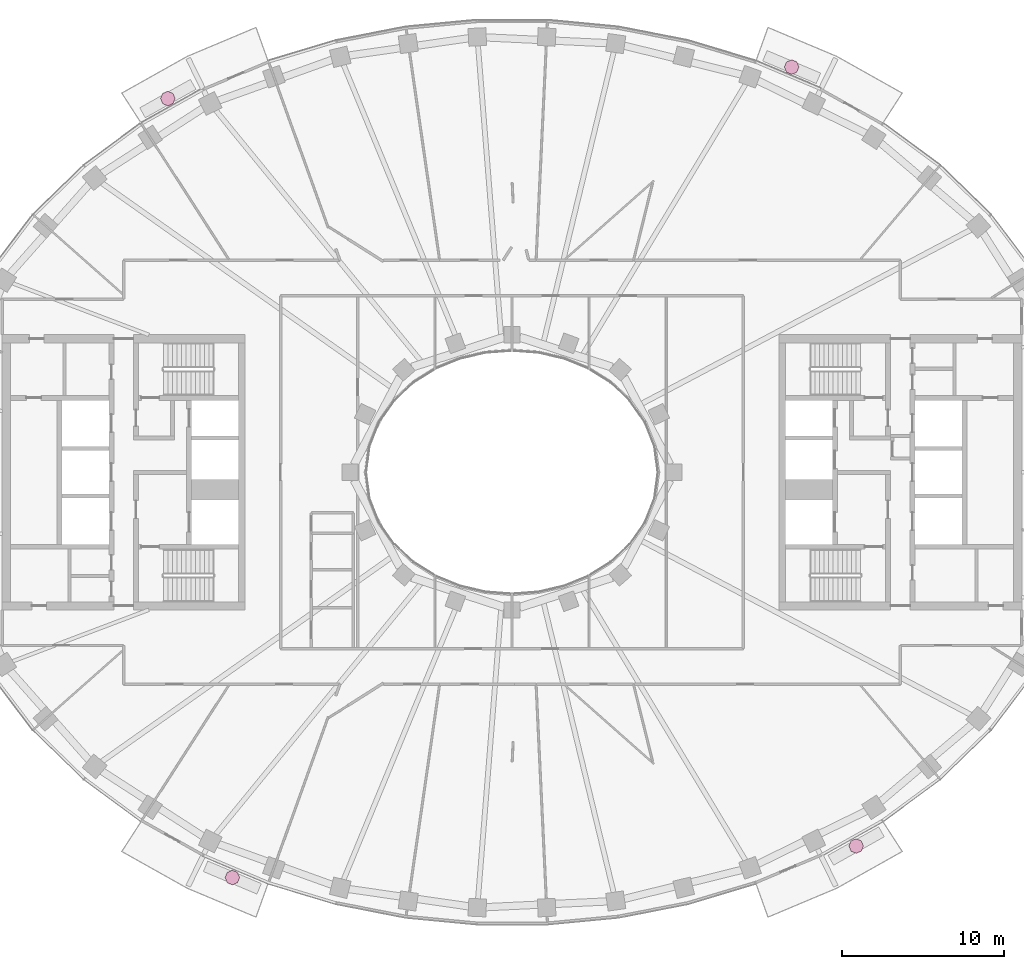
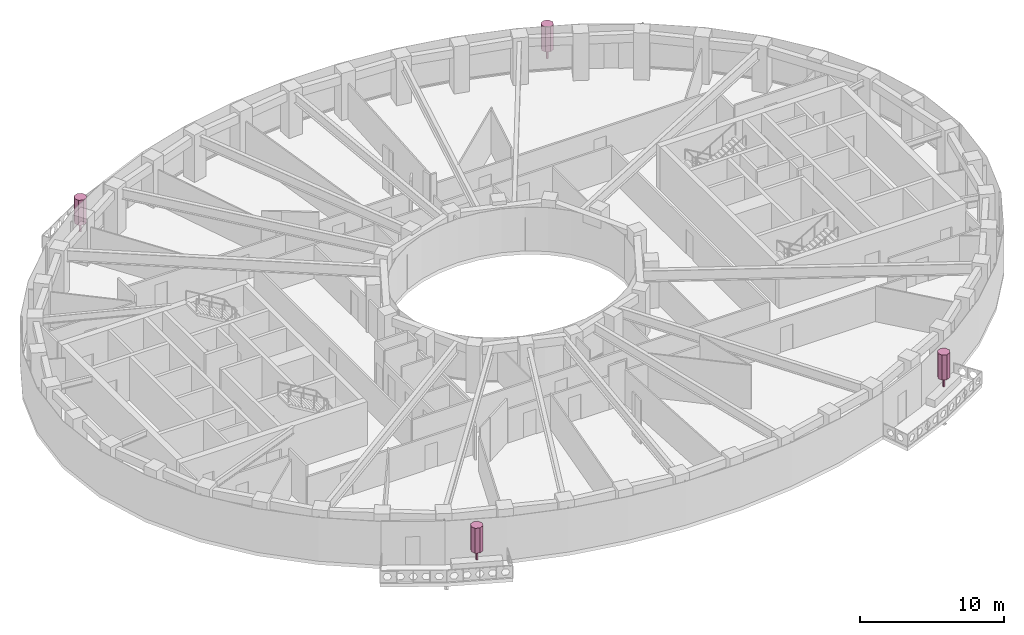
# One storey, part 15 of 15: 4 furnishings.
"""IFC4 building model written with IfcOpenShell, lengths in metres."""

import ifcopenshell
import ifcopenshell.guid

model = None  # the IFC model being written
_history = None  # IfcOwnerHistory: only IFC2X3 demands one
_inside = {}  # id of a spatial element -> (the spatial element, [elements in it])
_under = {}  # id of a project, library or spatial element -> (it, [spatial elements below it])
_declared = {}  # id of a project -> (the project, [libraries it declares])
_typed = {}  # id of a type object -> (the type object, [elements of that type])
_made_of = {}  # id of a material, layer set ... -> (it, [elements and type objects made of it])


def new_model(schema):
    """Start an empty IFC model of exactly this schema.

    Asked for "IFC4X3", IfcOpenShell would pick the latest addendum, in which some entities
    have other attributes; the version numbers below select the first issue.
    IFC2X3 requires an IfcOwnerHistory on every rooted entity: one is made here for all.
    """
    global model, _history
    if schema == "IFC4X3":
        model = ifcopenshell.file(schema_version=(4, 3, 0, 0))
    else:
        model = ifcopenshell.file(schema=schema)
    _inside.clear()
    _under.clear()
    _declared.clear()
    _typed.clear()
    _made_of.clear()
    _history = None
    if model.schema == "IFC2X3":
        org = make("IfcOrganization", Name="unknown")
        user = make(
            "IfcPersonAndOrganization",
            ThePerson=make("IfcPerson", FamilyName="unknown"),
            TheOrganization=org,
        )
        app = make(
            "IfcApplication",
            ApplicationDeveloper=org,
            Version="unknown",
            ApplicationFullName="unknown",
            ApplicationIdentifier="unknown",
        )
        _history = make(
            "IfcOwnerHistory",
            OwningUser=user,
            OwningApplication=app,
            ChangeAction="ADDED",
            CreationDate=0,
        )
    return model


def make(cls, **values):
    """One entity of the class cls with the attributes given. An attribute that is None is left unset."""
    return model.create_entity(
        cls, **{name: value for name, value in values.items() if value is not None}
    )


def rooted(cls, **values):
    """An entity with a GlobalId (a new one), such as an element, a storey or a relation."""
    return make(cls, GlobalId=ifcopenshell.guid.new(), OwnerHistory=_history, **values)


def si_unit(unit_type, name, prefix=None):
    """IfcSIUnit, for example si_unit("LENGTHUNIT", "METRE", prefix="MILLI")."""
    return make("IfcSIUnit", UnitType=unit_type, Prefix=prefix, Name=name)


def assignment(units):
    """IfcUnitAssignment: the units of a project."""
    return None if units is None else make("IfcUnitAssignment", Units=units)


def point(xyz):
    """IfcCartesianPoint."""
    return None if xyz is None else make("IfcCartesianPoint", Coordinates=xyz)


def direction(xyz):
    """IfcDirection."""
    return None if xyz is None else make("IfcDirection", DirectionRatios=xyz)


def frame(location, z_axis=None, x_axis=None):
    """IfcAxis2Placement3D, a coordinate frame: its origin and axes. An axis left out is left unset."""
    return make(
        "IfcAxis2Placement3D",
        Location=point(location),
        Axis=direction(z_axis),
        RefDirection=direction(x_axis),
    )


def frame_2d(location, x_axis=None):
    """IfcAxis2Placement2D, a coordinate frame in the plane: its origin and x axis."""
    return make(
        "IfcAxis2Placement2D", Location=point(location), RefDirection=direction(x_axis)
    )


def origin():
    """The frame at (0, 0, 0) with its axes left unset."""
    return frame((0.0, 0.0, 0.0))


def origin_2d():
    """The frame at (0, 0) in the plane with its x axis left unset."""
    return frame_2d((0.0, 0.0))


def place(relative_to, where):
    """IfcLocalPlacement: puts the frame where relative to a parent placement (None: the world)."""
    return make(
        "IfcLocalPlacement", PlacementRelTo=relative_to, RelativePlacement=where
    )


def context(
    kind, dimensions, precision=None, world=None, true_north=None, identifier=None
):
    """IfcGeometricRepresentationContext, for example the 3D "Model" context."""
    return make(
        "IfcGeometricRepresentationContext",
        ContextIdentifier=identifier,
        ContextType=kind,
        CoordinateSpaceDimension=dimensions,
        Precision=precision,
        WorldCoordinateSystem=world,
        TrueNorth=true_north,
    )


def subcontext(parent, identifier, kind, view, scale=None):
    """IfcGeometricRepresentationSubContext, for example "Body" below "Model"."""
    return make(
        "IfcGeometricRepresentationSubContext",
        ContextIdentifier=identifier,
        ContextType=kind,
        ParentContext=parent,
        TargetScale=scale,
        TargetView=view,
    )


def project(units=None, contexts=None):
    """IfcProject with its units and contexts."""
    return rooted(
        "IfcProject",
        Name="project",
        RepresentationContexts=contexts,
        UnitsInContext=assignment(units),
    )


def spatial(cls, under=None, at=None, **own):
    """A site, building, storey or space (cls), placed at a placement, below another one or the project."""
    s = rooted(cls, ObjectPlacement=at, **own)
    if under is not None:
        _under.setdefault(under.id(), (under, []))[1].append(s)
    return s


def polyline(points):
    """IfcPolyline through the points."""
    return make("IfcPolyline", Points=[point(p) for p in points])


def profile(cls, at=None, kind="AREA", **sizes):
    """A parametric profile (cls). Its sizes go by their IFC names, for example OverallWidth=200.0."""
    return make(cls, ProfileType=kind, Position=at, **sizes)


def rectangle(**sizes):
    """IfcRectangleProfileDef."""
    return profile("IfcRectangleProfileDef", **sizes)


def outline(outer, holes=None, kind="AREA"):
    """IfcArbitraryClosedProfileDef: a profile drawn as a closed curve; with holes, ...WithVoids."""
    if holes is None:
        return make("IfcArbitraryClosedProfileDef", ProfileType=kind, OuterCurve=outer)
    return make(
        "IfcArbitraryProfileDefWithVoids",
        ProfileType=kind,
        OuterCurve=outer,
        InnerCurves=holes,
    )


def extrude(swept, where, along, depth):
    """IfcExtrudedAreaSolid: the profile swept, set in the frame where, extruded along a direction by depth."""
    return make(
        "IfcExtrudedAreaSolid",
        SweptArea=swept,
        Position=where,
        ExtrudedDirection=direction(along),
        Depth=depth,
    )


def shape(context_of_items, identifier, shape_type, items):
    """IfcShapeRepresentation: the items that make up one representation, for example the "Body"."""
    return make(
        "IfcShapeRepresentation",
        ContextOfItems=context_of_items,
        RepresentationIdentifier=identifier,
        RepresentationType=shape_type,
        Items=items,
    )


def material(Name=None, Category=None):
    """IfcMaterial."""
    return make("IfcMaterial", Name=Name, Category=Category)


def made_of(thing, what):
    """Note that an element or type object is made of a material, layer set ...; save() writes the relation."""
    if what is not None:
        _made_of.setdefault(what.id(), (what, []))[1].append(thing)
    return thing


def type_object(cls, material=None, **own):
    """A type object (cls), such as IfcWallType, which elements share."""
    return made_of(rooted(cls, **own), material)


def element(
    cls,
    number,
    at=None,
    inside=None,
    cuts=None,
    type_object=None,
    material=None,
    context=None,
    identifier="Body",
    shape_type=None,
    held_by="IfcProductDefinitionShape",
    body=None,
    shapes=None,
    **own,
):
    """One element of the class cls, such as IfcWall. Its Tag is "e" and its number.

    at: its placement. inside: the storey or other place that contains it. cuts: it is an
    opening in that element (IfcRelVoidsElement). A single representation is given by context,
    identifier, shape_type and body (its items); several are given by shapes. held_by: the class
    of the entity that holds the representations. save() writes the other relations.
    """
    e = rooted(cls, Tag="e%d" % number, ObjectPlacement=at, **own)
    if body is not None:
        shapes = [shape(context, identifier, shape_type, body)]
    if shapes is not None:
        e.Representation = make(held_by, Representations=shapes)
    if inside is not None:
        _inside.setdefault(inside.id(), (inside, []))[1].append(e)
    if cuts is not None:
        rooted(
            "IfcRelVoidsElement", RelatingBuildingElement=cuts, RelatedOpeningElement=e
        )
    if type_object is not None:
        _typed.setdefault(type_object.id(), (type_object, []))[1].append(e)
    return made_of(e, material)


def aggregate(whole, parts):
    """IfcRelAggregates: a whole, such as a stair, and the parts it consists of."""
    return rooted("IfcRelAggregates", RelatingObject=whole, RelatedObjects=parts)


def save(model, path):
    """Write the relations noted so far, then the file.

    IfcRelAggregates (storeys below a building ...), IfcRelContainedInSpatialStructure (elements
    in a storey), IfcRelDefinesByType, IfcRelAssociatesMaterial and IfcRelDeclares: one each for
    every whole, place, type object, material and project.
    """
    for whole, parts in _under.values():
        aggregate(whole, parts)
    for where, things in _inside.values():
        rooted(
            "IfcRelContainedInSpatialStructure",
            RelatedElements=things,
            RelatingStructure=where,
        )
    for kind, things in _typed.values():
        rooted("IfcRelDefinesByType", RelatedObjects=things, RelatingType=kind)
    for what, things in _made_of.values():
        rooted("IfcRelAssociatesMaterial", RelatedObjects=things, RelatingMaterial=what)
    for by, libraries in _declared.values():
        rooted("IfcRelDeclares", RelatingContext=by, RelatedDefinitions=libraries)
    model.write(path)


model = new_model("IFC4")

# Units and contexts
model_context = context("Model", 3, precision=1e-05, world=origin(), true_north=direction((0.0, 1.0)))
body_context = subcontext(model_context, "Body", "Model", "MODEL_VIEW")
ifc_project = project(units=[si_unit("LENGTHUNIT", "METRE"), si_unit("AREAUNIT", "SQUARE_METRE"), si_unit("VOLUMEUNIT", "CUBIC_METRE"), si_unit("PLANEANGLEUNIT", "RADIAN"), si_unit("MASSUNIT", "GRAM", prefix="KILO")], contexts=[model_context])

# Site, building, storey
site_placement = place(None, origin())
site = spatial("IfcSite", under=ifc_project, at=site_placement, CompositionType="ELEMENT")
building_placement = place(site_placement, origin())
building = spatial("IfcBuilding", under=site, at=building_placement, Name="Noorbagh Ring Tower", CompositionType="ELEMENT")
storey_placement = place(building_placement, frame((0.0, 0.0, 241.5)))
storey = spatial("IfcBuildingStorey", under=building, at=storey_placement, Name="L50", CompositionType="ELEMENT", Elevation=241.5)

# Furnishings
ifc_material = material(Name="Planting foliage green")
furnishing_element_type = type_object("IfcFurnishingElementType", Name="ENV-TREE", material=ifc_material)
for number, where, z_axis, x_axis, name in (
    (1, (17.280517578125, 25.041259765625, 0.60009765625), (0.0, 0.0, 1.0), (1.0, 0.0, 0.0), "Tree BN02"),
    (2, (-21.26513671875, 23.093017578125, 0.60009765625), (0.0, 0.0, 1.0), (1.0, 0.0, 0.0), "Tree BN05"),
    (3, (-17.280517578125, -25.041259765625, 0.60009765625), (0.0, 0.0, 1.0), (1.0, 0.0, 0.0), "Tree BS02"),
    (4, (21.26513671875, -23.093017578125, 0.60009765625), (0.0, 0.0, 1.0), (1.0, 0.0, 0.0), "Tree BS05"),
):
    element("IfcFurnishingElement", number, at=place(storey_placement, frame(where, z_axis=z_axis, x_axis=x_axis)), inside=storey, type_object=furnishing_element_type, Name=name, context=body_context, shape_type="SweptSolid", body=[
        extrude(rectangle(XDim=0.1201171875, YDim=0.1201171875, at=origin_2d()), origin(), (0.0, 0.0, 1.0), 0.825927734375),
        extrude(outline(polyline([(0.449951171875, 0.0), (0.318115234375, 0.318115234375), (0.0, 0.449951171875), (-0.318115234375, 0.318115234375), (-0.449951171875, 0.0), (-0.318115234375, -0.318115234375), (0.0, -0.449951171875), (0.318115234375, -0.318115234375), (0.449951171875, 0.0)])), frame((0.0, 0.0, 0.825927734375)), (0.0, 0.0, 1.0), 2.1240234375),
    ])

save(model, "model.ifc")
